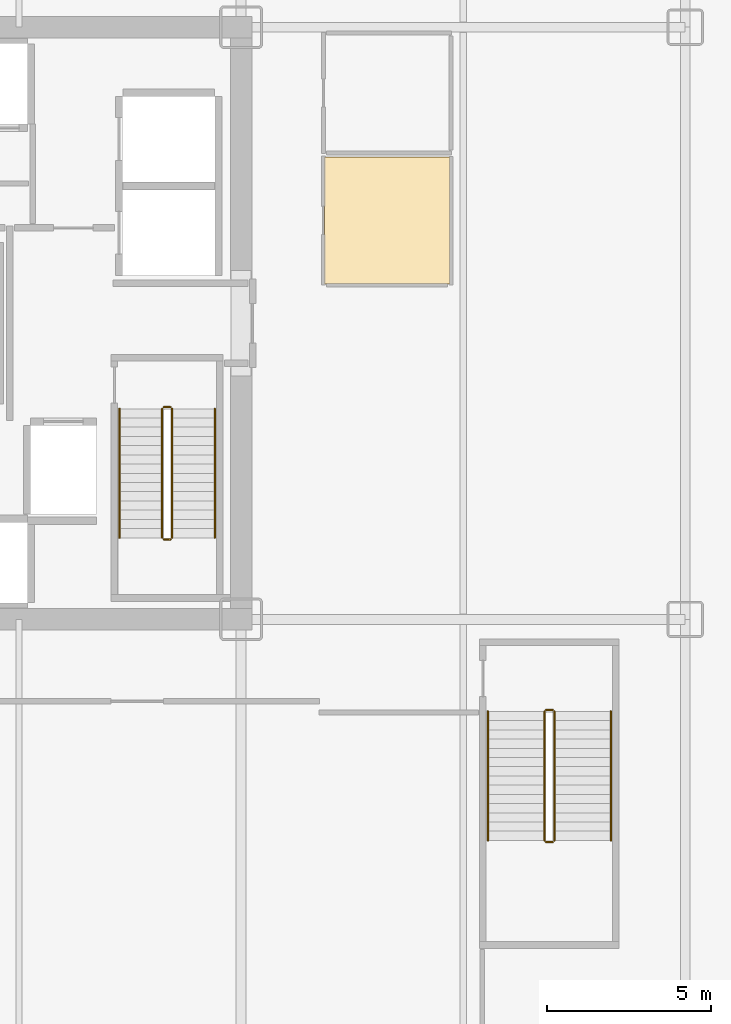
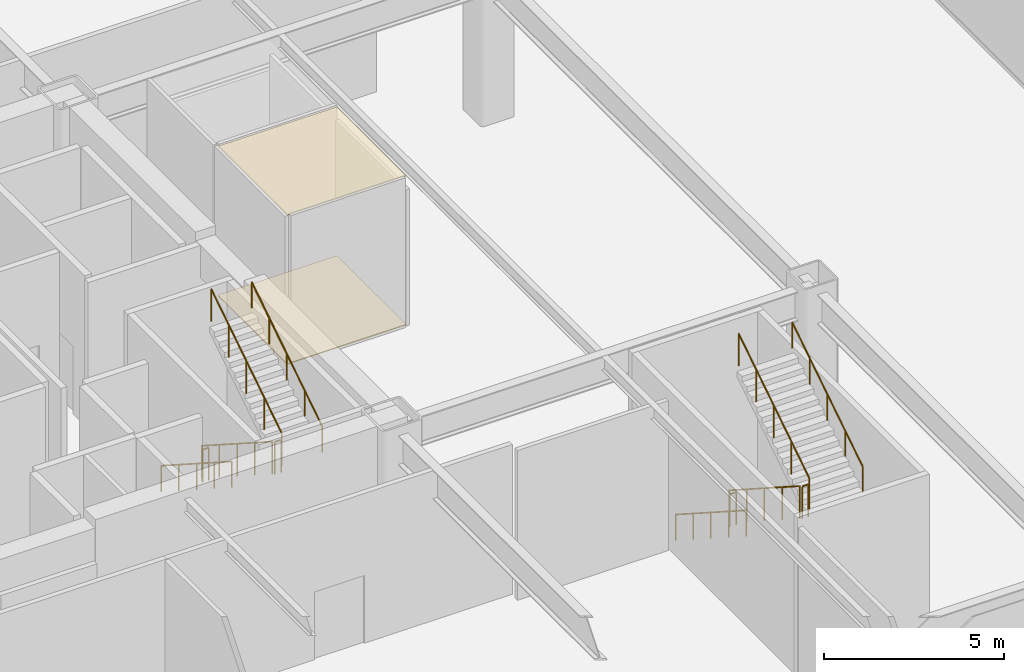
# One storey, part 22 of 24: 12 railings, 2 coverings.
"""IFC4 building model written with IfcOpenShell, lengths in metres."""

from ifc_helpers import new_model, si_unit, direction, frame, origin, origin_2d, place, context, subcontext, project, spatial, polyline, circle, outline, extrude, material, layer, layer_set, type_object, element, save


model = new_model("IFC4")

# Units and contexts
model_context = context("Model", 3, precision=1e-05, world=origin(), true_north=direction((0.0, 1.0)))
body_context = subcontext(model_context, "Body", "Model", "MODEL_VIEW")
ifc_project = project(units=[si_unit("LENGTHUNIT", "METRE"), si_unit("AREAUNIT", "SQUARE_METRE"), si_unit("VOLUMEUNIT", "CUBIC_METRE"), si_unit("PLANEANGLEUNIT", "RADIAN"), si_unit("MASSUNIT", "GRAM", prefix="KILO")], contexts=[model_context])

# Site, building, storey
site_placement = place(None, origin())
site = spatial("IfcSite", under=ifc_project, at=site_placement, CompositionType="ELEMENT")
building_placement = place(site_placement, origin())
building = spatial("IfcBuilding", under=site, at=building_placement, Name="Nefas-Gora Pilgrimage Tower", CompositionType="ELEMENT")
storey_placement = place(building_placement, frame((0.0, 0.0, 16.800048828125)))
storey = spatial("IfcBuildingStorey", under=building, at=storey_placement, Name="L03", CompositionType="ELEMENT", Elevation=16.800048828125)

# Coverings
ifc_material_1 = material(Name="Perforated gypsum acoustic ceiling")
ifc_layer_1 = layer(ifc_material_1, 0.02490234375)
ifc_layer_set_1 = layer_set([ifc_layer_1], Name="Perforated gypsum acoustic ceiling")
covering_type_1 = type_object("IfcCoveringType", Name="COV-CEIL-ACOUST", PredefinedType="CEILING", material=ifc_layer_set_1)
covering_1_placement = place(storey_placement, frame((0.0, 0.0, 5.054931640625)))
element("IfcCovering", 1, at=covering_1_placement, inside=storey, type_object=covering_type_1, Name="L03 Acoustic Suspended Ceiling (L03 Podium Public Washroom WC)", PredefinedType="CEILING", context=body_context, shape_type="SweptSolid", body=[
    extrude(outline(polyline([(13.780029296875, 5.050048828125), (13.780029296875, 1.199951171875), (17.60009765625, 1.199951171875), (17.60009765625, 5.050048828125), (13.780029296875, 5.050048828125)])), origin(), (0.0, 0.0, 1.0), 0.02490234375),
])
ifc_material_2 = material(Name="Honed granite stone flooring", Category="masonry")
ifc_layer_2 = layer(ifc_material_2, 0.030029296875)
ifc_layer_set_2 = layer_set([ifc_layer_2], Name="Honed granite stone flooring")
covering_type_2 = type_object("IfcCoveringType", Name="COV-FLOR-GRAN", PredefinedType="FLOORING", material=ifc_layer_set_2)
covering_2_placement = place(storey_placement, origin())
element("IfcCovering", 2, at=covering_2_placement, inside=storey, type_object=covering_type_2, Name="L03 Honed Granite Flooring (L03 Podium Public Washroom WC)", PredefinedType="FLOORING", context=body_context, shape_type="SweptSolid", body=[
    extrude(outline(polyline([(13.780029296875, 5.050048828125), (13.780029296875, 1.199951171875), (17.60009765625, 1.199951171875), (17.60009765625, 5.050048828125), (13.780029296875, 5.050048828125)])), origin(), (0.0, 0.0, 1.0), 0.030029296875),
])

# Railings
ifc_material_3 = material(Name="Painted galvanised steel", Category="steel")
railing_type_1 = type_object("IfcRailingType", Name="RLG-STR-GUARD-1100", PredefinedType="GUARDRAIL", material=ifc_material_3)
railing_1_placement = place(storey_placement, frame((8.85009765625, -2.60009765625, 0.179931640625)))
element("IfcRailing", 3, at=railing_1_placement, inside=storey, type_object=railing_type_1, Name="L03 ST-02 stair guard 1", PredefinedType="GUARDRAIL", context=body_context, shape_type="SweptSolid", body=[
    extrude(circle(Radius=0.02392578125, at=origin_2d()), frame((0.0, 0.0, 1.09619140625), z_axis=(0.0, -0.841171666519, 0.540768182723), x_axis=(1.0, 0.0, 0.0)), (0.0, 0.0, 1.0), 4.66015625),
    extrude(circle(Radius=0.02099609375, at=origin_2d()), origin(), (0.0, 0.0, 1.0), 1.072021484375),
    extrude(circle(Radius=0.02099609375, at=origin_2d()), frame((0.0, -0.97998046875, 0.6298828125)), (0.0, 0.0, 1.0), 1.072021484375),
    extrude(circle(Radius=0.02099609375, at=origin_2d()), frame((0.0, -1.9599609375, 1.260009765625)), (0.0, 0.0, 1.0), 1.072021484375),
    extrude(circle(Radius=0.02099609375, at=origin_2d()), frame((0.0, -2.93994140625, 1.89013671875)), (0.0, 0.0, 1.0), 1.072021484375),
    extrude(circle(Radius=0.02099609375, at=origin_2d()), frame((0.0, -3.919921875, 2.52001953125)), (0.0, 0.0, 1.0), 1.072021484375),
])
railing_2_placement = place(storey_placement, frame((8.89990234375, -6.570068359375, 2.699951171875)))
element("IfcRailing", 4, at=railing_2_placement, inside=storey, type_object=railing_type_1, Name="L03 ST-02 stair guard 2", PredefinedType="GUARDRAIL", context=body_context, shape_type="SweptSolid", body=[
    extrude(circle(Radius=0.02392578125, at=origin_2d()), frame((0.0, 0.0, 1.09619140625), z_axis=(1.0, 0.0, 0.0), x_axis=(0.0, 1.0, 0.0)), (0.0, 0.0, 1.0), 0.2001953125),
    extrude(circle(Radius=0.02099609375, at=origin_2d()), origin(), (0.0, 0.0, 1.0), 1.072021484375),
    extrude(circle(Radius=0.02099609375, at=origin_2d()), frame((0.2001953125, 0.0, 0.0)), (0.0, 0.0, 1.0), 1.072021484375),
])
railing_3_placement = place(storey_placement, frame((9.14990234375, -6.52001953125, 2.8798828125)))
element("IfcRailing", 5, at=railing_3_placement, inside=storey, type_object=railing_type_1, Name="L03 ST-02 stair guard 3", PredefinedType="GUARDRAIL", context=body_context, shape_type="SweptSolid", body=[
    extrude(circle(Radius=0.02392578125, at=origin_2d()), frame((0.0, 0.0, 1.09619140625), z_axis=(0.0, 0.841171666519, 0.540768182723), x_axis=(-1.0, 0.0, 0.0)), (0.0, 0.0, 1.0), 4.66015625),
    extrude(circle(Radius=0.02099609375, at=origin_2d()), origin(), (0.0, 0.0, 1.0), 1.072021484375),
    extrude(circle(Radius=0.02099609375, at=origin_2d()), frame((0.0, 0.97998046875, 0.6298828125)), (0.0, 0.0, 1.0), 1.072021484375),
    extrude(circle(Radius=0.02099609375, at=origin_2d()), frame((0.0, 1.9599609375, 1.260009765625)), (0.0, 0.0, 1.0), 1.072021484375),
    extrude(circle(Radius=0.02099609375, at=origin_2d()), frame((0.0, 2.93994140625, 1.89013671875)), (0.0, 0.0, 1.0), 1.072021484375),
    extrude(circle(Radius=0.02099609375, at=origin_2d()), frame((0.0, 3.919921875, 2.52001953125)), (0.0, 0.0, 1.0), 1.072021484375),
])
railing_4_placement = place(storey_placement, frame((8.89990234375, -2.550048828125, 0.0)))
element("IfcRailing", 6, at=railing_4_placement, inside=storey, type_object=railing_type_1, Name="L03 ST-02 stair guard 4", PredefinedType="GUARDRAIL", context=body_context, shape_type="SweptSolid", body=[
    extrude(circle(Radius=0.02392578125, at=origin_2d()), frame((0.0, 0.0, 1.09619140625), z_axis=(1.0, 0.0, 0.0), x_axis=(0.0, 1.0, 0.0)), (0.0, 0.0, 1.0), 0.2001953125),
    extrude(circle(Radius=0.02099609375, at=origin_2d()), origin(), (0.0, 0.0, 1.0), 1.072021484375),
    extrude(circle(Radius=0.02099609375, at=origin_2d()), frame((0.2001953125, 0.0, 0.0)), (0.0, 0.0, 1.0), 1.072021484375),
])
railing_5_placement = place(storey_placement, frame((20.469970703125, -11.800048828125, 0.179931640625)))
element("IfcRailing", 7, at=railing_5_placement, inside=storey, type_object=railing_type_1, Name="L03 ST-06 stair guard 1", PredefinedType="GUARDRAIL", context=body_context, shape_type="SweptSolid", body=[
    extrude(circle(Radius=0.02392578125, at=origin_2d()), frame((0.0, 0.0, 1.09619140625), z_axis=(0.0, -0.841171666519, 0.540768182723), x_axis=(1.0, 0.0, 0.0)), (0.0, 0.0, 1.0), 4.66015625),
    extrude(circle(Radius=0.02099609375, at=origin_2d()), origin(), (0.0, 0.0, 1.0), 1.072021484375),
    extrude(circle(Radius=0.02099609375, at=origin_2d()), frame((0.0, -0.97998046875, 0.6298828125)), (0.0, 0.0, 1.0), 1.072021484375),
    extrude(circle(Radius=0.02099609375, at=origin_2d()), frame((0.0, -1.9599609375, 1.260009765625)), (0.0, 0.0, 1.0), 1.072021484375),
    extrude(circle(Radius=0.02099609375, at=origin_2d()), frame((0.0, -2.93994140625, 1.89013671875)), (0.0, 0.0, 1.0), 1.072021484375),
    extrude(circle(Radius=0.02099609375, at=origin_2d()), frame((0.0, -3.919921875, 2.52001953125)), (0.0, 0.0, 1.0), 1.072021484375),
])
railing_6_placement = place(storey_placement, frame((20.52001953125, -15.77001953125, 2.699951171875)))
element("IfcRailing", 8, at=railing_6_placement, inside=storey, type_object=railing_type_1, Name="L03 ST-06 stair guard 2", PredefinedType="GUARDRAIL", context=body_context, shape_type="SweptSolid", body=[
    extrude(circle(Radius=0.02392578125, at=origin_2d()), frame((0.0, 0.0, 1.09619140625), z_axis=(1.0, 0.0, 0.0), x_axis=(0.0, 1.0, 0.0)), (0.0, 0.0, 1.0), 0.199951171875),
    extrude(circle(Radius=0.02099609375, at=origin_2d()), origin(), (0.0, 0.0, 1.0), 1.072021484375),
    extrude(circle(Radius=0.02099609375, at=origin_2d()), frame((0.199951171875, 0.0, 0.0)), (0.0, 0.0, 1.0), 1.072021484375),
])
railing_7_placement = place(storey_placement, frame((20.77001953125, -15.719970703125, 2.8798828125)))
element("IfcRailing", 9, at=railing_7_placement, inside=storey, type_object=railing_type_1, Name="L03 ST-06 stair guard 3", PredefinedType="GUARDRAIL", context=body_context, shape_type="SweptSolid", body=[
    extrude(circle(Radius=0.02392578125, at=origin_2d()), frame((0.0, 0.0, 1.09619140625), z_axis=(0.0, 0.841171666519, 0.540768182723), x_axis=(-1.0, 0.0, 0.0)), (0.0, 0.0, 1.0), 4.66015625),
    extrude(circle(Radius=0.02099609375, at=origin_2d()), origin(), (0.0, 0.0, 1.0), 1.072021484375),
    extrude(circle(Radius=0.02099609375, at=origin_2d()), frame((0.0, 0.97998046875, 0.6298828125)), (0.0, 0.0, 1.0), 1.072021484375),
    extrude(circle(Radius=0.02099609375, at=origin_2d()), frame((0.0, 1.9599609375, 1.260009765625)), (0.0, 0.0, 1.0), 1.072021484375),
    extrude(circle(Radius=0.02099609375, at=origin_2d()), frame((0.0, 2.93994140625, 1.89013671875)), (0.0, 0.0, 1.0), 1.072021484375),
    extrude(circle(Radius=0.02099609375, at=origin_2d()), frame((0.0, 3.919921875, 2.52001953125)), (0.0, 0.0, 1.0), 1.072021484375),
])
railing_8_placement = place(storey_placement, frame((20.52001953125, -11.75, 0.0)))
element("IfcRailing", 10, at=railing_8_placement, inside=storey, type_object=railing_type_1, Name="L03 ST-06 stair guard 4", PredefinedType="GUARDRAIL", context=body_context, shape_type="SweptSolid", body=[
    extrude(circle(Radius=0.02392578125, at=origin_2d()), frame((0.0, 0.0, 1.09619140625), z_axis=(1.0, 0.0, 0.0), x_axis=(0.0, 1.0, 0.0)), (0.0, 0.0, 1.0), 0.199951171875),
    extrude(circle(Radius=0.02099609375, at=origin_2d()), origin(), (0.0, 0.0, 1.0), 1.072021484375),
    extrude(circle(Radius=0.02099609375, at=origin_2d()), frame((0.199951171875, 0.0, 0.0)), (0.0, 0.0, 1.0), 1.072021484375),
])
ifc_material_4 = material(Name="Brushed stainless steel", Category="steel")
railing_type_2 = type_object("IfcRailingType", Name="RLG-STR-HAND-900", PredefinedType="HANDRAIL", material=ifc_material_4)
railing_9_placement = place(storey_placement, frame((7.550048828125, -2.60009765625, 0.179931640625)))
element("IfcRailing", 11, at=railing_9_placement, inside=storey, type_object=railing_type_2, Name="L03 ST-02 stair handrail 1", PredefinedType="HANDRAIL", context=body_context, shape_type="SweptSolid", body=[
    extrude(circle(Radius=0.02392578125, at=origin_2d()), frame((0.0, 0.0, 0.8759765625), z_axis=(0.0, -0.841171666519, 0.540768182723), x_axis=(1.0, 0.0, 0.0)), (0.0, 0.0, 1.0), 4.66015625),
    extrude(circle(Radius=0.02099609375, at=origin_2d()), origin(), (0.0, 0.0, 1.0), 0.851806640625),
    extrude(circle(Radius=0.02099609375, at=origin_2d()), frame((0.0, -0.97998046875, 0.6298828125)), (0.0, 0.0, 1.0), 0.851806640625),
    extrude(circle(Radius=0.02099609375, at=origin_2d()), frame((0.0, -1.9599609375, 1.260009765625)), (0.0, 0.0, 1.0), 0.851806640625),
    extrude(circle(Radius=0.02099609375, at=origin_2d()), frame((0.0, -2.93994140625, 1.89013671875)), (0.0, 0.0, 1.0), 0.851806640625),
    extrude(circle(Radius=0.02099609375, at=origin_2d()), frame((0.0, -3.919921875, 2.52001953125)), (0.0, 0.0, 1.0), 0.851806640625),
])
railing_10_placement = place(storey_placement, frame((10.449951171875, -6.52001953125, 2.8798828125)))
element("IfcRailing", 12, at=railing_10_placement, inside=storey, type_object=railing_type_2, Name="L03 ST-02 stair handrail 2", PredefinedType="HANDRAIL", context=body_context, shape_type="SweptSolid", body=[
    extrude(circle(Radius=0.02392578125, at=origin_2d()), frame((0.0, 0.0, 0.8759765625), z_axis=(0.0, 0.841171666519, 0.540768182723), x_axis=(-1.0, 0.0, 0.0)), (0.0, 0.0, 1.0), 4.66015625),
    extrude(circle(Radius=0.02099609375, at=origin_2d()), origin(), (0.0, 0.0, 1.0), 0.851806640625),
    extrude(circle(Radius=0.02099609375, at=origin_2d()), frame((0.0, 0.97998046875, 0.6298828125)), (0.0, 0.0, 1.0), 0.851806640625),
    extrude(circle(Radius=0.02099609375, at=origin_2d()), frame((0.0, 1.9599609375, 1.260009765625)), (0.0, 0.0, 1.0), 0.851806640625),
    extrude(circle(Radius=0.02099609375, at=origin_2d()), frame((0.0, 2.93994140625, 1.89013671875)), (0.0, 0.0, 1.0), 0.851806640625),
    extrude(circle(Radius=0.02099609375, at=origin_2d()), frame((0.0, 3.919921875, 2.52001953125)), (0.0, 0.0, 1.0), 0.851806640625),
])
railing_11_placement = place(storey_placement, frame((18.75, -11.800048828125, 0.179931640625)))
element("IfcRailing", 13, at=railing_11_placement, inside=storey, type_object=railing_type_2, Name="L03 ST-06 stair handrail 1", PredefinedType="HANDRAIL", context=body_context, shape_type="SweptSolid", body=[
    extrude(circle(Radius=0.02392578125, at=origin_2d()), frame((0.0, 0.0, 0.8759765625), z_axis=(0.0, -0.841171666519, 0.540768182723), x_axis=(1.0, 0.0, 0.0)), (0.0, 0.0, 1.0), 4.66015625),
    extrude(circle(Radius=0.02099609375, at=origin_2d()), origin(), (0.0, 0.0, 1.0), 0.851806640625),
    extrude(circle(Radius=0.02099609375, at=origin_2d()), frame((0.0, -0.97998046875, 0.6298828125)), (0.0, 0.0, 1.0), 0.851806640625),
    extrude(circle(Radius=0.02099609375, at=origin_2d()), frame((0.0, -1.9599609375, 1.260009765625)), (0.0, 0.0, 1.0), 0.851806640625),
    extrude(circle(Radius=0.02099609375, at=origin_2d()), frame((0.0, -2.93994140625, 1.89013671875)), (0.0, 0.0, 1.0), 0.851806640625),
    extrude(circle(Radius=0.02099609375, at=origin_2d()), frame((0.0, -3.919921875, 2.52001953125)), (0.0, 0.0, 1.0), 0.851806640625),
])
railing_12_placement = place(storey_placement, frame((22.489990234375, -15.719970703125, 2.8798828125)))
element("IfcRailing", 14, at=railing_12_placement, inside=storey, type_object=railing_type_2, Name="L03 ST-06 stair handrail 2", PredefinedType="HANDRAIL", context=body_context, shape_type="SweptSolid", body=[
    extrude(circle(Radius=0.02392578125, at=origin_2d()), frame((0.0, 0.0, 0.8759765625), z_axis=(0.0, 0.841171666519, 0.540768182723), x_axis=(-1.0, 0.0, 0.0)), (0.0, 0.0, 1.0), 4.66015625),
    extrude(circle(Radius=0.02099609375, at=origin_2d()), origin(), (0.0, 0.0, 1.0), 0.851806640625),
    extrude(circle(Radius=0.02099609375, at=origin_2d()), frame((0.0, 0.97998046875, 0.6298828125)), (0.0, 0.0, 1.0), 0.851806640625),
    extrude(circle(Radius=0.02099609375, at=origin_2d()), frame((0.0, 1.9599609375, 1.260009765625)), (0.0, 0.0, 1.0), 0.851806640625),
    extrude(circle(Radius=0.02099609375, at=origin_2d()), frame((0.0, 2.93994140625, 1.89013671875)), (0.0, 0.0, 1.0), 0.851806640625),
    extrude(circle(Radius=0.02099609375, at=origin_2d()), frame((0.0, 3.919921875, 2.52001953125)), (0.0, 0.0, 1.0), 0.851806640625),
])

save(model, "model.ifc")
